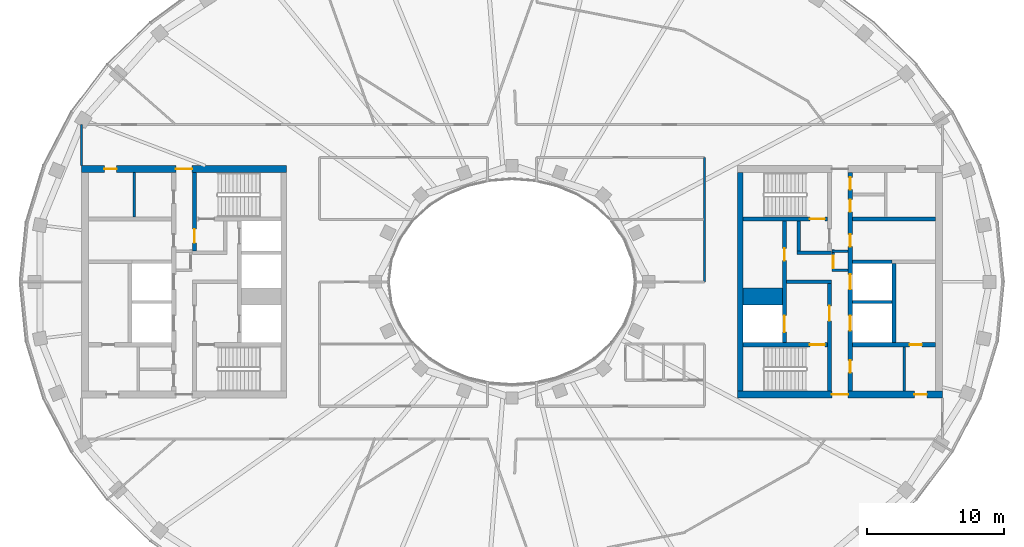
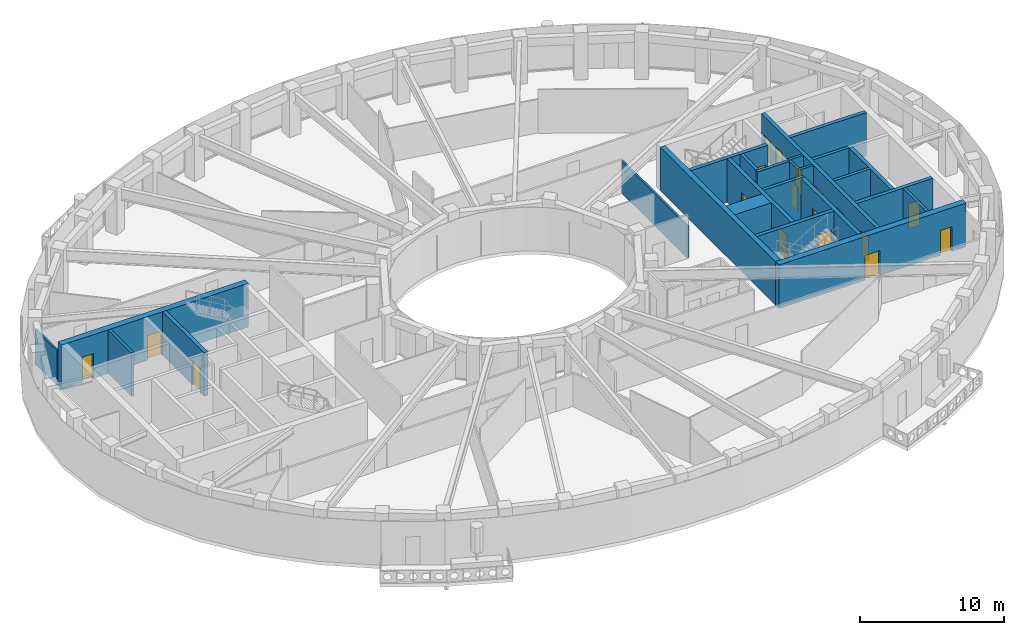
# One storey, part 5 of 15: 25 walls, 18 doors, 18 openings.
"""IFC4 building model written with IfcOpenShell, lengths in metres."""

from ifc_helpers import new_model, si_unit, direction, frame, frame_2d, origin, place, context, subcontext, project, spatial, rectangle, extrude, material, layer, layer_set, type_object, element, fill, save


model = new_model("IFC4")

# Units and contexts
model_context = context("Model", 3, precision=1e-05, world=origin(), true_north=direction((0.0, 1.0)))
body_context = subcontext(model_context, "Body", "Model", "MODEL_VIEW")
ifc_project = project(units=[si_unit("LENGTHUNIT", "METRE"), si_unit("AREAUNIT", "SQUARE_METRE"), si_unit("VOLUMEUNIT", "CUBIC_METRE"), si_unit("PLANEANGLEUNIT", "RADIAN"), si_unit("MASSUNIT", "GRAM", prefix="KILO")], contexts=[model_context])

# Site, building, storey
site_placement = place(None, origin())
site = spatial("IfcSite", under=ifc_project, at=site_placement, CompositionType="ELEMENT")
building_placement = place(site_placement, origin())
building = spatial("IfcBuilding", under=site, at=building_placement, Name="Noorbagh Ring Tower", CompositionType="ELEMENT")
storey_placement = place(building_placement, frame((0.0, 0.0, 307.0)))
storey = spatial("IfcBuildingStorey", under=building, at=storey_placement, Name="L66", CompositionType="ELEMENT", Elevation=307.0)

# Walls
ifc_material_1 = material(Name="Gypsum board on steel studs", Category="steel")
ifc_layer_1 = layer(ifc_material_1, 0.199951171875)
ifc_layer_set_1 = layer_set([ifc_layer_1], Name="Gypsum board on steel studs")
wall_type_1 = type_object("IfcWallType", Name="CORE-PARTITION-200", PredefinedType="PARTITIONING", material=ifc_layer_set_1)
wall_1_placement = place(storey_placement, frame((-27.64990234375, 4.75, 0.0), z_axis=(0.0, 0.0, 1.0), x_axis=(0.0, 1.0, 0.0)))
element("IfcWall", 1, at=wall_1_placement, inside=storey, type_object=wall_type_1, Name="Core partition W", PredefinedType="PARTITIONING", context=body_context, shape_type="SweptSolid", body=[
    extrude(rectangle(XDim=3.25, YDim=0.199951171875, at=frame_2d((1.625, 0.0))), origin(), (0.0, 0.0, 1.0), 3.699951171875),
])
for number, where, z_axis, x_axis, name in (
    (2, (23.39990234375, 0.85009765625, 0.0), (0.0, 0.0, 1.0), (1.0, 0.0, 0.0), "Core partition E"),
    (3, (23.39990234375, 2.25, 0.0), (0.0, 0.0, 1.0), (1.0, 0.0, 0.0), "Core partition E"),
):
    element("IfcWall", number, at=place(storey_placement, frame(where, z_axis=z_axis, x_axis=x_axis)), inside=storey, type_object=wall_type_1, Name=name, PredefinedType="PARTITIONING", context=body_context, shape_type="SweptSolid", body=[
        extrude(rectangle(XDim=1.2001953125, YDim=0.199951171875, at=frame_2d((0.60009765625, 0.0))), origin(), (0.0, 0.0, 1.0), 3.699951171875),
    ])

# Wall, opening, door
wall_2_placement = place(storey_placement, frame((23.5, 0.75, 0.0), z_axis=(0.0, 0.0, 1.0), x_axis=(0.0, 1.0, 0.0)))
wall_2 = element("IfcWall", 4, at=wall_2_placement, inside=storey, type_object=wall_type_1, Name="Core partition E", PredefinedType="PARTITIONING", context=body_context, shape_type="SweptSolid", body=[
    extrude(rectangle(XDim=1.60009765625, YDim=0.199951171875, at=frame_2d((0.800048828125, 0.0))), origin(), (0.0, 0.0, 1.0), 3.699951171875),
])
opening_1_placement = place(wall_2_placement, frame((0.25, 0.0, 0.0)))
opening_1 = element("IfcOpeningElement", 5, at=opening_1_placement, cuts=wall_2, Name="Opening L66-CE17", PredefinedType="OPENING", context=body_context, shape_type="SweptSolid", body=[
    extrude(rectangle(XDim=0.89990234375, YDim=2.10009765625, at=frame_2d((0.449951171875, 1.050048828125))), frame((0.0, 0.10986328125, 0.0), z_axis=(0.0, -1.0, 0.0), x_axis=(1.0, 0.0, 0.0)), (0.0, 0.0, 1.0), 0.219970703125),
])
ifc_material_2 = material(Name="Steel door leaf", Category="steel")
door_type_1 = type_object("IfcDoorType", Name="CORE-DOOR-DROOM", OperationType="SINGLE_SWING_LEFT", PredefinedType="DOOR", material=ifc_material_2)
door_1_placement = place(opening_1_placement, origin())
door_1 = element("IfcDoor", 6, at=door_1_placement, inside=storey, type_object=door_type_1, Name="Core room door L66-CE17", OperationType="SINGLE_SWING_LEFT", OverallHeight=2.10009765625, OverallWidth=0.89990234375, PredefinedType="DOOR", context=body_context, shape_type="SweptSolid", body=[
    extrude(rectangle(XDim=0.89990234375, YDim=2.10009765625, at=frame_2d((0.449951171875, 1.050048828125))), frame((0.0, 0.02490234375, 0.0), z_axis=(0.0, -1.0, 0.0), x_axis=(1.0, 0.0, 0.0)), (0.0, 0.0, 1.0), 0.050048828125),
])
fill(opening_1, door_1)

# Walls
wall_3_placement = place(storey_placement, frame((28.699951171875, -8.0, 0.0), z_axis=(0.0, 0.0, 1.0), x_axis=(0.0, 1.0, 0.0)))
element("IfcWall", 7, at=wall_3_placement, inside=storey, type_object=wall_type_1, Name="Core partition E", PredefinedType="PARTITIONING", context=body_context, shape_type="SweptSolid", body=[
    extrude(rectangle(XDim=3.25, YDim=0.199951171875, at=frame_2d((1.625, 0.0))), origin(), (0.0, 0.0, 1.0), 3.699951171875),
])
ifc_material_3 = material(Name="Concrete C50/60", Category="concrete")
ifc_layer_2 = layer(ifc_material_3, 1.25)
ifc_layer_set_2 = layer_set([ifc_layer_2], Name="Concrete C50/60")
wall_type_2 = type_object("IfcWallType", Name="CORE-WALL-1250-C50-60-EI120", PredefinedType="SHEAR", material=ifc_layer_set_2)
wall_4_placement = place(storey_placement, frame((16.89990234375, -1.074951171875, 0.0), z_axis=(0.0, 0.0, 1.0), x_axis=(1.0, 0.0, 0.0)))
element("IfcWall", 8, at=wall_4_placement, inside=storey, type_object=wall_type_2, Name="Core wall E", PredefinedType="SHEAR", context=body_context, shape_type="SweptSolid", body=[
    extrude(rectangle(XDim=2.900146484375, YDim=1.25, at=frame_2d((1.4501953125, 0.0))), origin(), (0.0, 0.0, 1.0), 3.699951171875),
])
ifc_material_4 = material(Name="Concrete C50/60", Category="concrete")
ifc_layer_3 = layer(ifc_material_4, 0.25)
ifc_layer_set_3 = layer_set([ifc_layer_3], Name="Concrete C50/60")
wall_type_3 = type_object("IfcWallType", Name="CORE-WALL-250-C50-60-EI120", PredefinedType="SHEAR", material=ifc_layer_set_3)
for number, where, z_axis, x_axis, name in (
    (9, (24.89990234375, -1.47509765625, 0.0), (0.0, 0.0, 1.0), (1.0, 0.0, 0.0), "Core wall E"),
    (10, (24.89990234375, 1.47509765625, 0.0), (0.0, 0.0, 1.0), (1.0, 0.0, 0.0), "Core wall E"),
):
    element("IfcWall", number, at=place(storey_placement, frame(where, z_axis=z_axis, x_axis=x_axis)), inside=storey, type_object=wall_type_3, Name=name, PredefinedType="SHEAR", context=body_context, shape_type="SweptSolid", body=[
        extrude(rectangle(XDim=2.900146484375, YDim=0.25, at=frame_2d((1.4501953125, 0.0))), origin(), (0.0, 0.0, 1.0), 3.699951171875),
    ])
ifc_material_5 = material(Name="Concrete C50/60", Category="concrete")
ifc_layer_4 = layer(ifc_material_5, 0.25)
ifc_layer_set_4 = layer_set([ifc_layer_4], Name="Concrete C50/60")
wall_type_4 = type_object("IfcWallType", Name="CORE-WALL-250-C50-60-EI240", PredefinedType="SHEAR", material=ifc_layer_set_4)
wall_5_placement = place(storey_placement, frame((20.10009765625, 0.0, 0.0), z_axis=(0.0, 0.0, 1.0), x_axis=(1.0, 0.0, 0.0)))
element("IfcWall", 11, at=wall_5_placement, inside=storey, type_object=wall_type_4, Name="Core wall E", PredefinedType="SHEAR", context=body_context, shape_type="SweptSolid", body=[
    extrude(rectangle(XDim=3.27978515625, YDim=0.25, at=frame_2d((1.639892578125, 0.0))), origin(), (0.0, 0.0, 1.0), 3.699951171875),
])
wall_6_placement = place(storey_placement, frame((20.85009765625, 2.125, 0.0), z_axis=(0.0, 0.0, 1.0), x_axis=(1.0, 0.0, 0.0)))
element("IfcWall", 12, at=wall_6_placement, inside=storey, type_object=wall_type_4, Name="Core wall E", PredefinedType="SHEAR", context=body_context, shape_type="SweptSolid", body=[
    extrude(rectangle(XDim=2.52978515625, YDim=0.25, at=frame_2d((1.264892578125, 0.0))), origin(), (0.0, 0.0, 1.0), 3.699951171875),
])
wall_7_placement = place(storey_placement, frame((20.97509765625, 2.25, 0.0), z_axis=(0.0, 0.0, 1.0), x_axis=(0.0, 1.0, 0.0)))
element("IfcWall", 13, at=wall_7_placement, inside=storey, type_object=wall_type_4, Name="Core wall E", PredefinedType="SHEAR", context=body_context, shape_type="SweptSolid", body=[
    extrude(rectangle(XDim=2.199951171875, YDim=0.25, at=frame_2d((1.10009765625, 0.0))), origin(), (0.0, 0.0, 1.0), 3.699951171875),
])
ifc_material_6 = material(Name="Concrete C50/60", Category="concrete")
ifc_layer_5 = layer(ifc_material_6, 0.300048828125)
ifc_layer_set_5 = layer_set([ifc_layer_5], Name="Concrete C50/60")
wall_type_5 = type_object("IfcWallType", Name="CORE-WALL-300-C50-60-EI120", PredefinedType="SHEAR", material=ifc_layer_set_5)
wall_8_placement = place(storey_placement, frame((27.949951171875, -4.449951171875, 0.0), z_axis=(0.0, 0.0, 1.0), x_axis=(0.0, 1.0, 0.0)))
element("IfcWall", 14, at=wall_8_placement, inside=storey, type_object=wall_type_5, Name="Core wall E", PredefinedType="SHEAR", context=body_context, shape_type="SweptSolid", body=[
    extrude(rectangle(XDim=5.800048828125, YDim=0.300048828125, at=frame_2d((2.89990234375, 0.0))), origin(), (0.0, 0.0, 1.0), 3.699951171875),
])

# Wall, openings, doors
wall_9_placement = place(storey_placement, frame((19.949951171875, -4.449951171875, 0.0), z_axis=(0.0, 0.0, 1.0), x_axis=(0.0, 1.0, 0.0)))
wall_9 = element("IfcWall", 15, at=wall_9_placement, inside=storey, type_object=wall_type_5, Name="Core wall E", PredefinedType="SHEAR", context=body_context, shape_type="SweptSolid", body=[
    extrude(rectangle(XDim=8.89990234375, YDim=0.300048828125, at=frame_2d((4.449951171875, 0.0))), origin(), (0.0, 0.0, 1.0), 3.699951171875),
])
opening_2_placement = place(wall_9_placement, frame((0.77490234375, 0.0, 0.0)))
opening_2 = element("IfcOpeningElement", 16, at=opening_2_placement, cuts=wall_9, Name="Opening L66-CE01", PredefinedType="OPENING", context=body_context, shape_type="SweptSolid", body=[
    extrude(rectangle(XDim=1.199951171875, YDim=2.10009765625, at=frame_2d((0.60009765625, 1.050048828125))), frame((0.0, 0.16015625, 0.0), z_axis=(0.0, -1.0, 0.0), x_axis=(1.0, 0.0, 0.0)), (0.0, 0.0, 1.0), 0.320068359375),
])
opening_3_placement = place(wall_9_placement, frame((6.0, 0.0, 0.0)))
opening_3 = element("IfcOpeningElement", 17, at=opening_3_placement, cuts=wall_9, Name="Opening L66-CE10", PredefinedType="OPENING", context=body_context, shape_type="SweptSolid", body=[
    extrude(rectangle(XDim=0.89990234375, YDim=2.10009765625, at=frame_2d((0.449951171875, 1.050048828125))), frame((0.0, 0.16015625, 0.0), z_axis=(0.0, -1.0, 0.0), x_axis=(1.0, 0.0, 0.0)), (0.0, 0.0, 1.0), 0.320068359375),
])
door_2_placement = place(opening_3_placement, origin())
door_2 = element("IfcDoor", 18, at=door_2_placement, inside=storey, type_object=door_type_1, Name="Core room door L66-CE10", OperationType="SINGLE_SWING_RIGHT", OverallHeight=2.10009765625, OverallWidth=0.89990234375, PredefinedType="DOOR", context=body_context, shape_type="SweptSolid", body=[
    extrude(rectangle(XDim=0.89990234375, YDim=2.10009765625, at=frame_2d((0.449951171875, 1.050048828125))), frame((0.0, 0.02490234375, 0.0), z_axis=(0.0, -1.0, 0.0), x_axis=(1.0, 0.0, 0.0)), (0.0, 0.0, 1.0), 0.050048828125),
])
fill(opening_3, door_2)
ifc_material_7 = material(Name="Steel door leaf", Category="steel")
door_type_2 = type_object("IfcDoorType", Name="CORE-DOOR-LDW", OperationType="DOUBLE_DOOR_SLIDING", PredefinedType="DOOR", material=ifc_material_7)
door_3_placement = place(opening_2_placement, origin())
door_3 = element("IfcDoor", 19, at=door_3_placement, inside=storey, type_object=door_type_2, Name="Landing door FF2 L66-CE01", OperationType="DOUBLE_DOOR_SLIDING", OverallHeight=2.10009765625, OverallWidth=1.199951171875, PredefinedType="DOOR", context=body_context, shape_type="SweptSolid", body=[
    extrude(rectangle(XDim=1.199951171875, YDim=2.10009765625, at=frame_2d((0.60009765625, 1.050048828125))), frame((0.0, 0.02490234375, 0.0), z_axis=(0.0, -1.0, 0.0), x_axis=(1.0, 0.0, 0.0)), (0.0, 0.0, 1.0), 0.050048828125),
])
fill(opening_2, door_3)

wall_10_placement = place(storey_placement, frame((24.75, -8.0, 0.0), z_axis=(0.0, 0.0, 1.0), x_axis=(0.0, 1.0, 0.0)))
wall_10 = element("IfcWall", 20, at=wall_10_placement, inside=storey, type_object=wall_type_5, Name="Core wall E", PredefinedType="SHEAR", context=body_context, shape_type="SweptSolid", body=[
    extrude(rectangle(XDim=16.0, YDim=0.300048828125, at=frame_2d((8.0, 0.0))), origin(), (0.0, 0.0, 1.0), 3.699951171875),
])
opening_4_placement = place(wall_10_placement, frame((4.425048828125, 0.0, 0.0)))
opening_4 = element("IfcOpeningElement", 21, at=opening_4_placement, cuts=wall_10, Name="Opening L66-CE02", PredefinedType="OPENING", context=body_context, shape_type="SweptSolid", body=[
    extrude(rectangle(XDim=1.10009765625, YDim=2.10009765625, at=frame_2d((0.550048828125, 1.050048828125))), frame((0.0, 0.16015625, 0.0), z_axis=(0.0, -1.0, 0.0), x_axis=(1.0, 0.0, 0.0)), (0.0, 0.0, 1.0), 0.320068359375),
])
opening_5_placement = place(wall_10_placement, frame((7.449951171875, 0.0, 0.0)))
opening_5 = element("IfcOpeningElement", 22, at=opening_5_placement, cuts=wall_10, Name="Opening L66-CE03", PredefinedType="OPENING", context=body_context, shape_type="SweptSolid", body=[
    extrude(rectangle(XDim=1.10009765625, YDim=2.10009765625, at=frame_2d((0.550048828125, 1.050048828125))), frame((0.0, 0.16015625, 0.0), z_axis=(0.0, -1.0, 0.0), x_axis=(1.0, 0.0, 0.0)), (0.0, 0.0, 1.0), 0.320068359375),
])
opening_6_placement = place(wall_10_placement, frame((10.574951171875, 0.0, 0.0)))
opening_6 = element("IfcOpeningElement", 23, at=opening_6_placement, cuts=wall_10, Name="Opening L66-CE11", PredefinedType="OPENING", context=body_context, shape_type="SweptSolid", body=[
    extrude(rectangle(XDim=0.89990234375, YDim=2.10009765625, at=frame_2d((0.449951171875, 1.050048828125))), frame((0.0, 0.16015625, 0.0), z_axis=(0.0, -1.0, 0.0), x_axis=(1.0, 0.0, 0.0)), (0.0, 0.0, 1.0), 0.320068359375),
])
opening_7_placement = place(wall_10_placement, frame((13.125, 0.0, 0.0)))
opening_7 = element("IfcOpeningElement", 24, at=opening_7_placement, cuts=wall_10, Name="Opening L66-CE12", PredefinedType="OPENING", context=body_context, shape_type="SweptSolid", body=[
    extrude(rectangle(XDim=0.89990234375, YDim=2.10009765625, at=frame_2d((0.449951171875, 1.050048828125))), frame((0.0, 0.16015625, 0.0), z_axis=(0.0, -1.0, 0.0), x_axis=(1.0, 0.0, 0.0)), (0.0, 0.0, 1.0), 0.320068359375),
])
opening_8_placement = place(wall_10_placement, frame((14.75, 0.0, 0.0)))
opening_8 = element("IfcOpeningElement", 25, at=opening_8_placement, cuts=wall_10, Name="Opening L66-CE13", PredefinedType="OPENING", context=body_context, shape_type="SweptSolid", body=[
    extrude(rectangle(XDim=0.89990234375, YDim=2.10009765625, at=frame_2d((0.449951171875, 1.050048828125))), frame((0.0, 0.16015625, 0.0), z_axis=(0.0, -1.0, 0.0), x_axis=(1.0, 0.0, 0.0)), (0.0, 0.0, 1.0), 0.320068359375),
])
opening_9_placement = place(wall_10_placement, frame((1.35009765625, 0.0, 0.0)))
opening_9 = element("IfcOpeningElement", 26, at=opening_9_placement, cuts=wall_10, Name="Opening L66-CE15", PredefinedType="OPENING", context=body_context, shape_type="SweptSolid", body=[
    extrude(rectangle(XDim=0.89990234375, YDim=2.10009765625, at=frame_2d((0.449951171875, 1.050048828125))), frame((0.0, 0.16015625, 0.0), z_axis=(0.0, -1.0, 0.0), x_axis=(1.0, 0.0, 0.0)), (0.0, 0.0, 1.0), 0.320068359375),
])
door_4_placement = place(opening_6_placement, origin())
door_4 = element("IfcDoor", 27, at=door_4_placement, inside=storey, type_object=door_type_1, Name="Core room door L66-CE11", OperationType="SINGLE_SWING_LEFT", OverallHeight=2.10009765625, OverallWidth=0.89990234375, PredefinedType="DOOR", context=body_context, shape_type="SweptSolid", body=[
    extrude(rectangle(XDim=0.89990234375, YDim=2.10009765625, at=frame_2d((0.449951171875, 1.050048828125))), frame((0.0, 0.02490234375, 0.0), z_axis=(0.0, -1.0, 0.0), x_axis=(1.0, 0.0, 0.0)), (0.0, 0.0, 1.0), 0.050048828125),
])
fill(opening_6, door_4)
door_5_placement = place(opening_7_placement, origin())
door_5 = element("IfcDoor", 28, at=door_5_placement, inside=storey, type_object=door_type_1, Name="Core room door L66-CE12", OperationType="SINGLE_SWING_RIGHT", OverallHeight=2.10009765625, OverallWidth=0.89990234375, PredefinedType="DOOR", context=body_context, shape_type="SweptSolid", body=[
    extrude(rectangle(XDim=0.89990234375, YDim=2.10009765625, at=frame_2d((0.449951171875, 1.050048828125))), frame((0.0, 0.02490234375, 0.0), z_axis=(0.0, -1.0, 0.0), x_axis=(1.0, 0.0, 0.0)), (0.0, 0.0, 1.0), 0.050048828125),
])
fill(opening_7, door_5)
door_6_placement = place(opening_8_placement, origin())
door_6 = element("IfcDoor", 29, at=door_6_placement, inside=storey, type_object=door_type_1, Name="Core room door L66-CE13", OperationType="SINGLE_SWING_LEFT", OverallHeight=2.10009765625, OverallWidth=0.89990234375, PredefinedType="DOOR", context=body_context, shape_type="SweptSolid", body=[
    extrude(rectangle(XDim=0.89990234375, YDim=2.10009765625, at=frame_2d((0.449951171875, 1.050048828125))), frame((0.0, 0.02490234375, 0.0), z_axis=(0.0, -1.0, 0.0), x_axis=(1.0, 0.0, 0.0)), (0.0, 0.0, 1.0), 0.050048828125),
])
fill(opening_8, door_6)
door_7_placement = place(opening_9_placement, origin())
door_7 = element("IfcDoor", 30, at=door_7_placement, inside=storey, type_object=door_type_1, Name="Core room door L66-CE15", OperationType="SINGLE_SWING_RIGHT", OverallHeight=2.10009765625, OverallWidth=0.89990234375, PredefinedType="DOOR", context=body_context, shape_type="SweptSolid", body=[
    extrude(rectangle(XDim=0.89990234375, YDim=2.10009765625, at=frame_2d((0.449951171875, 1.050048828125))), frame((0.0, 0.02490234375, 0.0), z_axis=(0.0, -1.0, 0.0), x_axis=(1.0, 0.0, 0.0)), (0.0, 0.0, 1.0), 0.050048828125),
])
fill(opening_9, door_7)
ifc_material_8 = material(Name="Steel door leaf", Category="steel")
door_type_3 = type_object("IfcDoorType", Name="CORE-DOOR-LD", OperationType="DOUBLE_DOOR_SLIDING", PredefinedType="DOOR", material=ifc_material_8)
door_8_placement = place(opening_4_placement, origin())
door_8 = element("IfcDoor", 31, at=door_8_placement, inside=storey, type_object=door_type_3, Name="Landing door HR12 L66-CE02", OperationType="DOUBLE_DOOR_SLIDING", OverallHeight=2.10009765625, OverallWidth=1.10009765625, PredefinedType="DOOR", context=body_context, shape_type="SweptSolid", body=[
    extrude(rectangle(XDim=1.10009765625, YDim=2.10009765625, at=frame_2d((0.550048828125, 1.050048828125))), frame((0.0, 0.02490234375, 0.0), z_axis=(0.0, -1.0, 0.0), x_axis=(1.0, 0.0, 0.0)), (0.0, 0.0, 1.0), 0.050048828125),
])
fill(opening_4, door_8)
door_9_placement = place(opening_5_placement, origin())
door_9 = element("IfcDoor", 32, at=door_9_placement, inside=storey, type_object=door_type_3, Name="Landing door HR13 L66-CE03", OperationType="DOUBLE_DOOR_SLIDING", OverallHeight=2.10009765625, OverallWidth=1.10009765625, PredefinedType="DOOR", context=body_context, shape_type="SweptSolid", body=[
    extrude(rectangle(XDim=1.10009765625, YDim=2.10009765625, at=frame_2d((0.550048828125, 1.050048828125))), frame((0.0, 0.02490234375, 0.0), z_axis=(0.0, -1.0, 0.0), x_axis=(1.0, 0.0, 0.0)), (0.0, 0.0, 1.0), 0.050048828125),
])
fill(opening_5, door_9)

# Wall, opening, door
ifc_material_9 = material(Name="Concrete C50/60", Category="concrete")
ifc_layer_6 = layer(ifc_material_9, 0.300048828125)
ifc_layer_set_6 = layer_set([ifc_layer_6], Name="Concrete C50/60")
wall_type_6 = type_object("IfcWallType", Name="CORE-WALL-300-C50-60-EI240", PredefinedType="SHEAR", material=ifc_layer_set_6)
wall_11_placement = place(storey_placement, frame((-23.22998046875, 2.25, 0.0), z_axis=(0.0, 0.0, 1.0), x_axis=(0.0, 1.0, 0.0)))
wall_11 = element("IfcWall", 33, at=wall_11_placement, inside=storey, type_object=wall_type_6, Name="Core wall W", PredefinedType="SHEAR", context=body_context, shape_type="SweptSolid", body=[
    extrude(rectangle(XDim=5.75, YDim=0.300048828125, at=frame_2d((2.875, 0.0))), origin(), (0.0, 0.0, 1.0), 3.699951171875),
])
opening_10_placement = place(wall_11_placement, frame((0.60009765625, 0.0, 0.0)))
opening_10 = element("IfcOpeningElement", 34, at=opening_10_placement, cuts=wall_11, Name="Opening L66-CW08", PredefinedType="OPENING", context=body_context, shape_type="SweptSolid", body=[
    extrude(rectangle(XDim=1.0, YDim=2.10009765625, at=frame_2d((0.5, 1.050048828125))), frame((0.0, 0.16015625, 0.0), z_axis=(0.0, -1.0, 0.0), x_axis=(1.0, 0.0, 0.0)), (0.0, 0.0, 1.0), 0.320068359375),
])
ifc_material_10 = material(Name="Steel door leaf", Category="steel")
door_type_4 = type_object("IfcDoorType", Name="CORE-DOOR-DVEST", OperationType="SINGLE_SWING_LEFT", PredefinedType="DOOR", material=ifc_material_10)
door_10_placement = place(opening_10_placement, origin())
door_10 = element("IfcDoor", 35, at=door_10_placement, inside=storey, type_object=door_type_4, Name="Stair vestibule door L66-CW08", OperationType="SINGLE_SWING_LEFT", OverallHeight=2.10009765625, OverallWidth=1.0, PredefinedType="DOOR", context=body_context, shape_type="SweptSolid", body=[
    extrude(rectangle(XDim=1.0, YDim=2.10009765625, at=frame_2d((0.5, 1.050048828125))), frame((0.0, 0.02490234375, 0.0), z_axis=(0.0, -1.0, 0.0), x_axis=(1.0, 0.0, 0.0)), (0.0, 0.0, 1.0), 0.050048828125),
])
fill(opening_10, door_10)

# Wall
wall_12_placement = place(storey_placement, frame((24.89990234375, 4.60009765625, 0.0), z_axis=(0.0, 0.0, 1.0), x_axis=(1.0, 0.0, 0.0)))
element("IfcWall", 36, at=wall_12_placement, inside=storey, type_object=wall_type_6, Name="Core wall E", PredefinedType="SHEAR", context=body_context, shape_type="SweptSolid", body=[
    extrude(rectangle(XDim=6.10009765625, YDim=0.300048828125, at=frame_2d((3.050048828125, 0.0))), origin(), (0.0, 0.0, 1.0), 3.699951171875),
])

# Wall, opening, door
wall_13_placement = place(storey_placement, frame((24.89990234375, -4.60009765625, 0.0), z_axis=(0.0, 0.0, 1.0), x_axis=(1.0, 0.0, 0.0)))
wall_13 = element("IfcWall", 37, at=wall_13_placement, inside=storey, type_object=wall_type_6, Name="Core wall E", PredefinedType="SHEAR", context=body_context, shape_type="SweptSolid", body=[
    extrude(rectangle(XDim=6.10009765625, YDim=0.300048828125, at=frame_2d((3.050048828125, 0.0))), origin(), (0.0, 0.0, 1.0), 3.699951171875),
])
opening_11_placement = place(wall_13_placement, frame((4.199951171875, 0.0, 0.0)))
opening_11 = element("IfcOpeningElement", 38, at=opening_11_placement, cuts=wall_13, Name="Opening L66-CE18", PredefinedType="OPENING", context=body_context, shape_type="SweptSolid", body=[
    extrude(rectangle(XDim=0.89990234375, YDim=2.10009765625, at=frame_2d((0.449951171875, 1.050048828125))), frame((0.0, 0.16015625, 0.0), z_axis=(0.0, -1.0, 0.0), x_axis=(1.0, 0.0, 0.0)), (0.0, 0.0, 1.0), 0.320068359375),
])
door_11_placement = place(opening_11_placement, origin())
door_11 = element("IfcDoor", 39, at=door_11_placement, inside=storey, type_object=door_type_1, Name="Core room door L66-CE18", OperationType="SINGLE_SWING_LEFT", OverallHeight=2.10009765625, OverallWidth=0.89990234375, PredefinedType="DOOR", context=body_context, shape_type="SweptSolid", body=[
    extrude(rectangle(XDim=0.89990234375, YDim=2.10009765625, at=frame_2d((0.449951171875, 1.050048828125))), frame((0.0, 0.02490234375, 0.0), z_axis=(0.0, -1.0, 0.0), x_axis=(1.0, 0.0, 0.0)), (0.0, 0.0, 1.0), 0.050048828125),
])
fill(opening_11, door_11)

wall_14_placement = place(storey_placement, frame((23.22998046875, -8.0, 0.0), z_axis=(0.0, 0.0, 1.0), x_axis=(0.0, 1.0, 0.0)))
wall_14 = element("IfcWall", 40, at=wall_14_placement, inside=storey, type_object=wall_type_6, Name="Core wall E", PredefinedType="SHEAR", context=body_context, shape_type="SweptSolid", body=[
    extrude(rectangle(XDim=7.875, YDim=0.300048828125, at=frame_2d((3.9375, 0.0))), origin(), (0.0, 0.0, 1.0), 3.699951171875),
])
opening_12_placement = place(wall_14_placement, frame((5.14990234375, 0.0, 0.0)))
opening_12 = element("IfcOpeningElement", 41, at=opening_12_placement, cuts=wall_14, Name="Opening L66-CE06", PredefinedType="OPENING", context=body_context, shape_type="SweptSolid", body=[
    extrude(rectangle(XDim=1.10009765625, YDim=2.10009765625, at=frame_2d((0.550048828125, 1.050048828125))), frame((0.0, 0.16015625, 0.0), z_axis=(0.0, -1.0, 0.0), x_axis=(1.0, 0.0, 0.0)), (0.0, 0.0, 1.0), 0.320068359375),
])
ifc_material_11 = material(Name="Steel door leaf", Category="steel")
door_type_5 = type_object("IfcDoorType", Name="CORE-DOOR-DFF", OperationType="SINGLE_SWING_LEFT", PredefinedType="DOOR", material=ifc_material_11)
door_12_placement = place(opening_12_placement, origin())
door_12 = element("IfcDoor", 42, at=door_12_placement, inside=storey, type_object=door_type_5, Name="Firefighting lobby door L66-CE06", OperationType="SINGLE_SWING_RIGHT", OverallHeight=2.10009765625, OverallWidth=1.10009765625, PredefinedType="DOOR", context=body_context, shape_type="SweptSolid", body=[
    extrude(rectangle(XDim=1.10009765625, YDim=2.10009765625, at=frame_2d((0.550048828125, 1.050048828125))), frame((0.0, 0.02490234375, 0.0), z_axis=(0.0, -1.0, 0.0), x_axis=(1.0, 0.0, 0.0)), (0.0, 0.0, 1.0), 0.050048828125),
])
fill(opening_12, door_12)

wall_15_placement = place(storey_placement, frame((16.89990234375, 4.60009765625, 0.0), z_axis=(0.0, 0.0, 1.0), x_axis=(1.0, 0.0, 0.0)))
wall_15 = element("IfcWall", 43, at=wall_15_placement, inside=storey, type_object=wall_type_6, Name="Core wall E", PredefinedType="SHEAR", context=body_context, shape_type="SweptSolid", body=[
    extrude(rectangle(XDim=6.18017578125, YDim=0.300048828125, at=frame_2d((3.090087890625, 0.0))), origin(), (0.0, 0.0, 1.0), 3.699951171875),
])
opening_13_placement = place(wall_15_placement, frame((4.89990234375, 0.0, 0.0)))
opening_13 = element("IfcOpeningElement", 44, at=opening_13_placement, cuts=wall_15, Name="Opening L66-CE04", PredefinedType="OPENING", context=body_context, shape_type="SweptSolid", body=[
    extrude(rectangle(XDim=1.10009765625, YDim=2.10009765625, at=frame_2d((0.550048828125, 1.050048828125))), frame((0.0, 0.16015625, 0.0), z_axis=(0.0, -1.0, 0.0), x_axis=(1.0, 0.0, 0.0)), (0.0, 0.0, 1.0), 0.320068359375),
])
ifc_material_12 = material(Name="Steel door leaf", Category="steel")
door_type_6 = type_object("IfcDoorType", Name="CORE-DOOR-DSTAIR", OperationType="SINGLE_SWING_LEFT", PredefinedType="DOOR", material=ifc_material_12)
door_13_placement = place(opening_13_placement, origin())
door_13 = element("IfcDoor", 45, at=door_13_placement, inside=storey, type_object=door_type_6, Name="Stair door ST3 L66-CE04", OperationType="SINGLE_SWING_LEFT", OverallHeight=2.10009765625, OverallWidth=1.10009765625, PredefinedType="DOOR", context=body_context, shape_type="SweptSolid", body=[
    extrude(rectangle(XDim=1.10009765625, YDim=2.10009765625, at=frame_2d((0.550048828125, 1.050048828125))), frame((0.0, 0.02490234375, 0.0), z_axis=(0.0, -1.0, 0.0), x_axis=(1.0, 0.0, 0.0)), (0.0, 0.0, 1.0), 0.050048828125),
])
fill(opening_13, door_13)

wall_16_placement = place(storey_placement, frame((16.89990234375, -4.60009765625, 0.0), z_axis=(0.0, 0.0, 1.0), x_axis=(1.0, 0.0, 0.0)))
wall_16 = element("IfcWall", 46, at=wall_16_placement, inside=storey, type_object=wall_type_6, Name="Core wall E", PredefinedType="SHEAR", context=body_context, shape_type="SweptSolid", body=[
    extrude(rectangle(XDim=6.18017578125, YDim=0.300048828125, at=frame_2d((3.090087890625, 0.0))), origin(), (0.0, 0.0, 1.0), 3.699951171875),
])
opening_14_placement = place(wall_16_placement, frame((4.89990234375, 0.0, 0.0)))
opening_14 = element("IfcOpeningElement", 47, at=opening_14_placement, cuts=wall_16, Name="Opening L66-CE05", PredefinedType="OPENING", context=body_context, shape_type="SweptSolid", body=[
    extrude(rectangle(XDim=1.10009765625, YDim=2.10009765625, at=frame_2d((0.550048828125, 1.050048828125))), frame((0.0, 0.16015625, 0.0), z_axis=(0.0, -1.0, 0.0), x_axis=(1.0, 0.0, 0.0)), (0.0, 0.0, 1.0), 0.320068359375),
])
door_14_placement = place(opening_14_placement, origin())
door_14 = element("IfcDoor", 48, at=door_14_placement, inside=storey, type_object=door_type_6, Name="Stair door ST4 L66-CE05", OperationType="SINGLE_SWING_RIGHT", OverallHeight=2.10009765625, OverallWidth=1.10009765625, PredefinedType="DOOR", context=body_context, shape_type="SweptSolid", body=[
    extrude(rectangle(XDim=1.10009765625, YDim=2.10009765625, at=frame_2d((0.550048828125, 1.050048828125))), frame((0.0, 0.02490234375, 0.0), z_axis=(0.0, -1.0, 0.0), x_axis=(1.0, 0.0, 0.0)), (0.0, 0.0, 1.0), 0.050048828125),
])
fill(opening_14, door_14)

# Wall
ifc_material_13 = material(Name="Concrete C50/60", Category="concrete")
ifc_layer_7 = layer(ifc_material_13, 0.39990234375)
ifc_layer_set_7 = layer_set([ifc_layer_7], Name="Concrete C50/60")
wall_type_7 = type_object("IfcWallType", Name="CORE-WALL-400-C50-60-EI240", PredefinedType="SHEAR", material=ifc_layer_set_7)
wall_17_placement = place(storey_placement, frame((16.699951171875, -8.0, 0.0), z_axis=(0.0, 0.0, 1.0), x_axis=(0.0, 1.0, 0.0)))
element("IfcWall", 49, at=wall_17_placement, inside=storey, type_object=wall_type_7, Name="Core wall E", PredefinedType="SHEAR", context=body_context, shape_type="SweptSolid", body=[
    extrude(rectangle(XDim=16.0, YDim=0.39990234375, at=frame_2d((8.0, 0.0))), origin(), (0.0, 0.0, 1.0), 3.699951171875),
])

# Wall, openings, doors
ifc_material_14 = material(Name="Concrete C50/60", Category="concrete")
ifc_layer_8 = layer(ifc_material_14, 0.5)
ifc_layer_set_8 = layer_set([ifc_layer_8], Name="Concrete C50/60")
wall_type_8 = type_object("IfcWallType", Name="CORE-WALL-500-C50-60-EI240", PredefinedType="SHEAR", material=ifc_layer_set_8)
wall_18_placement = place(storey_placement, frame((-16.5, 8.25, 0.0), z_axis=(0.0, 0.0, 1.0), x_axis=(-1.0, 0.0, 0.0)))
wall_18 = element("IfcWall", 50, at=wall_18_placement, inside=storey, type_object=wall_type_8, Name="Core wall W", PredefinedType="SHEAR", context=body_context, shape_type="SweptSolid", body=[
    extrude(rectangle(XDim=15.0, YDim=0.5, at=frame_2d((7.5, 0.0))), origin(), (0.0, 0.0, 1.0), 3.699951171875),
])
opening_15_placement = place(wall_18_placement, frame((6.89990234375, 0.0, 0.0)))
opening_15 = element("IfcOpeningElement", 51, at=opening_15_placement, cuts=wall_18, Name="Opening L66-CW09", PredefinedType="OPENING", context=body_context, shape_type="SweptSolid", body=[
    extrude(rectangle(XDim=1.199951171875, YDim=2.10009765625, at=frame_2d((0.60009765625, 1.050048828125))), frame((0.0, 0.260009765625, 0.0), z_axis=(0.0, -1.0, 0.0), x_axis=(1.0, 0.0, 0.0)), (0.0, 0.0, 1.0), 0.52001953125),
])
opening_16_placement = place(wall_18_placement, frame((12.425048828125, 0.0, 0.0)))
opening_16 = element("IfcOpeningElement", 52, at=opening_16_placement, cuts=wall_18, Name="Opening L66-CW13", PredefinedType="OPENING", context=body_context, shape_type="SweptSolid", body=[
    extrude(rectangle(XDim=0.89990234375, YDim=2.10009765625, at=frame_2d((0.449951171875, 1.050048828125))), frame((0.0, 0.260009765625, 0.0), z_axis=(0.0, -1.0, 0.0), x_axis=(1.0, 0.0, 0.0)), (0.0, 0.0, 1.0), 0.52001953125),
])
door_15_placement = place(opening_16_placement, origin())
door_15 = element("IfcDoor", 53, at=door_15_placement, inside=storey, type_object=door_type_1, Name="Core room door L66-CW13", OperationType="SINGLE_SWING_RIGHT", OverallHeight=2.10009765625, OverallWidth=0.89990234375, PredefinedType="DOOR", context=body_context, shape_type="SweptSolid", body=[
    extrude(rectangle(XDim=0.89990234375, YDim=2.10009765625, at=frame_2d((0.449951171875, 1.050048828125))), frame((0.0, 0.02490234375, 0.0), z_axis=(0.0, -1.0, 0.0), x_axis=(1.0, 0.0, 0.0)), (0.0, 0.0, 1.0), 0.050048828125),
])
fill(opening_16, door_15)
ifc_material_15 = material(Name="Steel door leaf", Category="steel")
door_type_7 = type_object("IfcDoorType", Name="CORE-DOOR-PORT", OperationType="DOUBLE_DOOR_DOUBLE_SWING", PredefinedType="DOOR", material=ifc_material_15)
door_16_placement = place(opening_15_placement, origin())
door_16 = element("IfcDoor", 54, at=door_16_placement, inside=storey, type_object=door_type_7, Name="Core entrance door L66-CW09", OperationType="DOUBLE_DOOR_DOUBLE_SWING", OverallHeight=2.10009765625, OverallWidth=1.199951171875, PredefinedType="DOOR", context=body_context, shape_type="SweptSolid", body=[
    extrude(rectangle(XDim=1.199951171875, YDim=2.10009765625, at=frame_2d((0.60009765625, 1.050048828125))), frame((0.0, 0.02490234375, 0.0), z_axis=(0.0, -1.0, 0.0), x_axis=(1.0, 0.0, 0.0)), (0.0, 0.0, 1.0), 0.050048828125),
])
fill(opening_15, door_16)

wall_19_placement = place(storey_placement, frame((16.5, -8.25, 0.0), z_axis=(0.0, 0.0, 1.0), x_axis=(1.0, 0.0, 0.0)))
wall_19 = element("IfcWall", 55, at=wall_19_placement, inside=storey, type_object=wall_type_8, Name="Core wall E", PredefinedType="SHEAR", context=body_context, shape_type="SweptSolid", body=[
    extrude(rectangle(XDim=15.0, YDim=0.5, at=frame_2d((7.5, 0.0))), origin(), (0.0, 0.0, 1.0), 3.699951171875),
])
opening_17_placement = place(wall_19_placement, frame((6.89990234375, 0.0, 0.0)))
opening_17 = element("IfcOpeningElement", 56, at=opening_17_placement, cuts=wall_19, Name="Opening L66-CE09", PredefinedType="OPENING", context=body_context, shape_type="SweptSolid", body=[
    extrude(rectangle(XDim=1.199951171875, YDim=2.10009765625, at=frame_2d((0.60009765625, 1.050048828125))), frame((0.0, 0.260009765625, 0.0), z_axis=(0.0, -1.0, 0.0), x_axis=(1.0, 0.0, 0.0)), (0.0, 0.0, 1.0), 0.52001953125),
])
opening_18_placement = place(wall_19_placement, frame((12.949951171875, 0.0, 0.0)))
opening_18 = element("IfcOpeningElement", 57, at=opening_18_placement, cuts=wall_19, Name="Opening L66-CE16", PredefinedType="OPENING", context=body_context, shape_type="SweptSolid", body=[
    extrude(rectangle(XDim=0.89990234375, YDim=2.10009765625, at=frame_2d((0.449951171875, 1.050048828125))), frame((0.0, 0.260009765625, 0.0), z_axis=(0.0, -1.0, 0.0), x_axis=(1.0, 0.0, 0.0)), (0.0, 0.0, 1.0), 0.52001953125),
])
door_17_placement = place(opening_18_placement, origin())
door_17 = element("IfcDoor", 58, at=door_17_placement, inside=storey, type_object=door_type_1, Name="Core room door L66-CE16", OperationType="SINGLE_SWING_RIGHT", OverallHeight=2.10009765625, OverallWidth=0.89990234375, PredefinedType="DOOR", context=body_context, shape_type="SweptSolid", body=[
    extrude(rectangle(XDim=0.89990234375, YDim=2.10009765625, at=frame_2d((0.449951171875, 1.050048828125))), frame((0.0, 0.02490234375, 0.0), z_axis=(0.0, -1.0, 0.0), x_axis=(1.0, 0.0, 0.0)), (0.0, 0.0, 1.0), 0.050048828125),
])
fill(opening_18, door_17)
door_18_placement = place(opening_17_placement, origin())
door_18 = element("IfcDoor", 59, at=door_18_placement, inside=storey, type_object=door_type_7, Name="Core entrance door L66-CE09", OperationType="DOUBLE_DOOR_DOUBLE_SWING", OverallHeight=2.10009765625, OverallWidth=1.199951171875, PredefinedType="DOOR", context=body_context, shape_type="SweptSolid", body=[
    extrude(rectangle(XDim=1.199951171875, YDim=2.10009765625, at=frame_2d((0.60009765625, 1.050048828125))), frame((0.0, 0.02490234375, 0.0), z_axis=(0.0, -1.0, 0.0), x_axis=(1.0, 0.0, 0.0)), (0.0, 0.0, 1.0), 0.050048828125),
])
fill(opening_17, door_18)

# Walls
ifc_material_16 = material(Name="Gypsum board on steel studs", Category="steel")
ifc_layer_9 = layer(ifc_material_16, 0.14990234375)
ifc_layer_set_9 = layer_set([ifc_layer_9], Name="Gypsum board on steel studs")
wall_type_9 = type_object("IfcWallType", Name="CORRIDOR PARTITION 150 EI 30", PredefinedType="PARTITIONING", material=ifc_layer_set_9)
wall_20_placement = place(storey_placement, frame((-31.5, 8.5, 0.0), z_axis=(0.0, 0.0, 1.0), x_axis=(0.0, 1.0, 0.0)))
element("IfcWall", 60, at=wall_20_placement, inside=storey, type_object=wall_type_9, Name="L66/wall/P04", PredefinedType="PARTITIONING", context=body_context, shape_type="SweptSolid", body=[
    extrude(rectangle(XDim=3.0, YDim=0.14990234375, at=frame_2d((1.5, 0.0))), origin(), (0.0, 0.0, 1.0), 3.0),
])
wall_21_placement = place(storey_placement, frame((14.10009765625, 0.0, 0.0), z_axis=(0.0, 0.0, 1.0), x_axis=(0.0, 1.0, 0.0)))
element("IfcWall", 61, at=wall_21_placement, inside=storey, type_object=wall_type_9, Name="L66/wall/P51", PredefinedType="PARTITIONING", context=body_context, shape_type="SweptSolid", body=[
    extrude(rectangle(XDim=9.10009765625, YDim=0.14990234375, at=frame_2d((4.550048828125, 0.0))), origin(), (0.0, 0.0, 1.0), 2.75),
])

save(model, "model.ifc")
